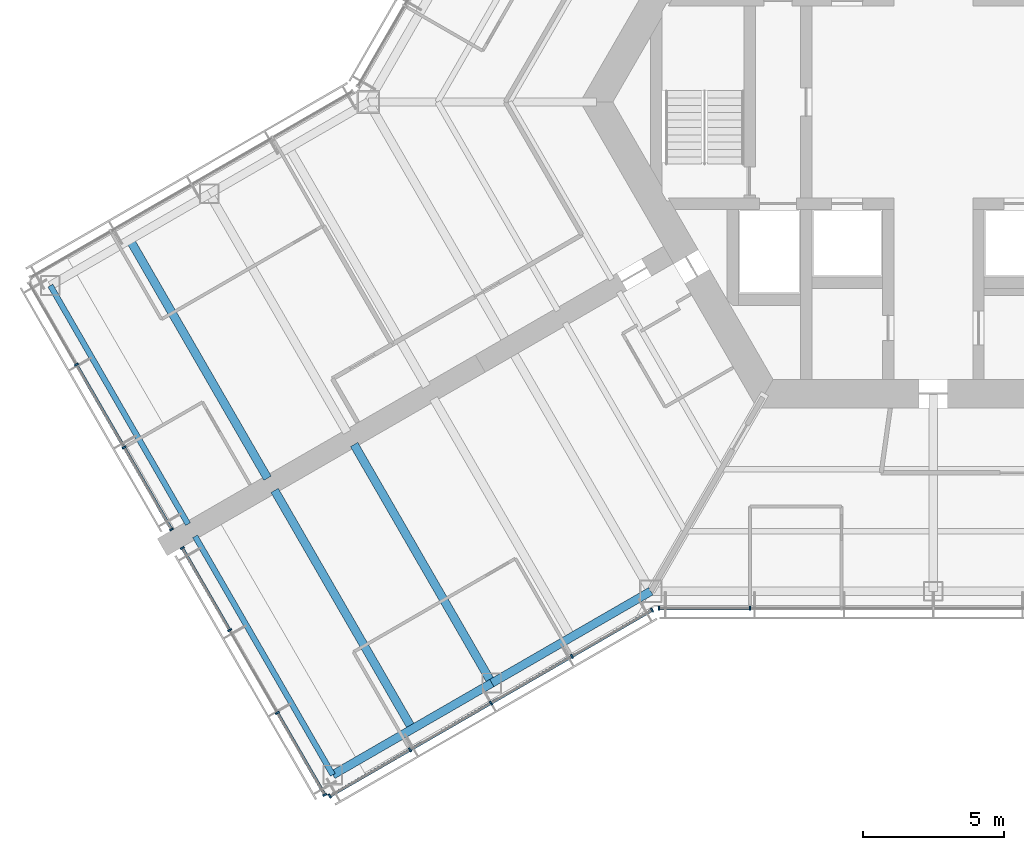
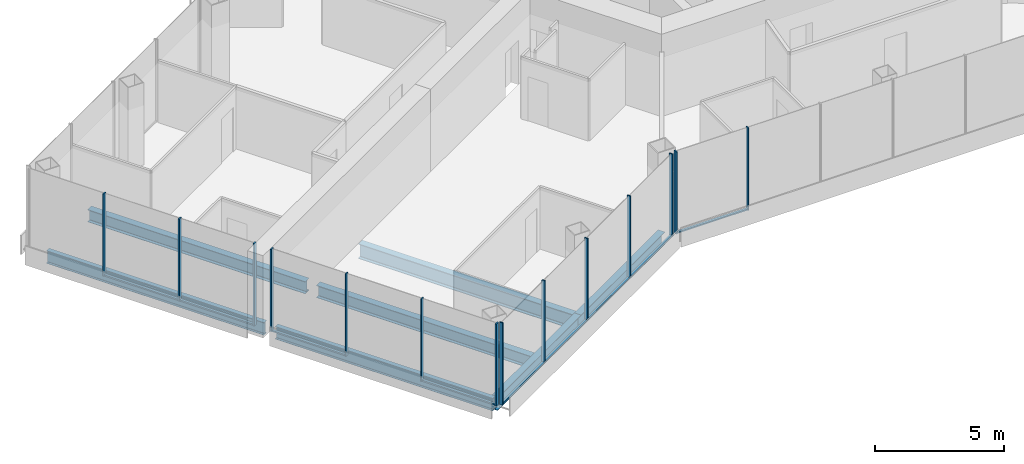
# One storey, part 2 of 18: 23 members, 7 beams, 4 elements without a shape of their own.
"""IFC4 building model written with IfcOpenShell, lengths in metres."""

import ifcopenshell
import ifcopenshell.guid

model = None  # the IFC model being written
_history = None  # IfcOwnerHistory: only IFC2X3 demands one
_inside = {}  # id of a spatial element -> (the spatial element, [elements in it])
_under = {}  # id of a project, library or spatial element -> (it, [spatial elements below it])
_declared = {}  # id of a project -> (the project, [libraries it declares])
_typed = {}  # id of a type object -> (the type object, [elements of that type])
_made_of = {}  # id of a material, layer set ... -> (it, [elements and type objects made of it])


def new_model(schema):
    """Start an empty IFC model of exactly this schema.

    Asked for "IFC4X3", IfcOpenShell would pick the latest addendum, in which some entities
    have other attributes; the version numbers below select the first issue.
    IFC2X3 requires an IfcOwnerHistory on every rooted entity: one is made here for all.
    """
    global model, _history
    if schema == "IFC4X3":
        model = ifcopenshell.file(schema_version=(4, 3, 0, 0))
    else:
        model = ifcopenshell.file(schema=schema)
    _inside.clear()
    _under.clear()
    _declared.clear()
    _typed.clear()
    _made_of.clear()
    _history = None
    if model.schema == "IFC2X3":
        org = make("IfcOrganization", Name="unknown")
        user = make(
            "IfcPersonAndOrganization",
            ThePerson=make("IfcPerson", FamilyName="unknown"),
            TheOrganization=org,
        )
        app = make(
            "IfcApplication",
            ApplicationDeveloper=org,
            Version="unknown",
            ApplicationFullName="unknown",
            ApplicationIdentifier="unknown",
        )
        _history = make(
            "IfcOwnerHistory",
            OwningUser=user,
            OwningApplication=app,
            ChangeAction="ADDED",
            CreationDate=0,
        )
    return model


def make(cls, **values):
    """One entity of the class cls with the attributes given. An attribute that is None is left unset."""
    return model.create_entity(
        cls, **{name: value for name, value in values.items() if value is not None}
    )


def rooted(cls, **values):
    """An entity with a GlobalId (a new one), such as an element, a storey or a relation."""
    return make(cls, GlobalId=ifcopenshell.guid.new(), OwnerHistory=_history, **values)


def si_unit(unit_type, name, prefix=None):
    """IfcSIUnit, for example si_unit("LENGTHUNIT", "METRE", prefix="MILLI")."""
    return make("IfcSIUnit", UnitType=unit_type, Prefix=prefix, Name=name)


def assignment(units):
    """IfcUnitAssignment: the units of a project."""
    return None if units is None else make("IfcUnitAssignment", Units=units)


def point(xyz):
    """IfcCartesianPoint."""
    return None if xyz is None else make("IfcCartesianPoint", Coordinates=xyz)


def direction(xyz):
    """IfcDirection."""
    return None if xyz is None else make("IfcDirection", DirectionRatios=xyz)


def frame(location, z_axis=None, x_axis=None):
    """IfcAxis2Placement3D, a coordinate frame: its origin and axes. An axis left out is left unset."""
    return make(
        "IfcAxis2Placement3D",
        Location=point(location),
        Axis=direction(z_axis),
        RefDirection=direction(x_axis),
    )


def frame_2d(location, x_axis=None):
    """IfcAxis2Placement2D, a coordinate frame in the plane: its origin and x axis."""
    return make(
        "IfcAxis2Placement2D", Location=point(location), RefDirection=direction(x_axis)
    )


def origin():
    """The frame at (0, 0, 0) with its axes left unset."""
    return frame((0.0, 0.0, 0.0))


def origin_2d():
    """The frame at (0, 0) in the plane with its x axis left unset."""
    return frame_2d((0.0, 0.0))


def place(relative_to, where):
    """IfcLocalPlacement: puts the frame where relative to a parent placement (None: the world)."""
    return make(
        "IfcLocalPlacement", PlacementRelTo=relative_to, RelativePlacement=where
    )


def context(
    kind, dimensions, precision=None, world=None, true_north=None, identifier=None
):
    """IfcGeometricRepresentationContext, for example the 3D "Model" context."""
    return make(
        "IfcGeometricRepresentationContext",
        ContextIdentifier=identifier,
        ContextType=kind,
        CoordinateSpaceDimension=dimensions,
        Precision=precision,
        WorldCoordinateSystem=world,
        TrueNorth=true_north,
    )


def subcontext(parent, identifier, kind, view, scale=None):
    """IfcGeometricRepresentationSubContext, for example "Body" below "Model"."""
    return make(
        "IfcGeometricRepresentationSubContext",
        ContextIdentifier=identifier,
        ContextType=kind,
        ParentContext=parent,
        TargetScale=scale,
        TargetView=view,
    )


def project(units=None, contexts=None):
    """IfcProject with its units and contexts."""
    return rooted(
        "IfcProject",
        Name="project",
        RepresentationContexts=contexts,
        UnitsInContext=assignment(units),
    )


def spatial(cls, under=None, at=None, **own):
    """A site, building, storey or space (cls), placed at a placement, below another one or the project."""
    s = rooted(cls, ObjectPlacement=at, **own)
    if under is not None:
        _under.setdefault(under.id(), (under, []))[1].append(s)
    return s


def profile(cls, at=None, kind="AREA", **sizes):
    """A parametric profile (cls). Its sizes go by their IFC names, for example OverallWidth=200.0."""
    return make(cls, ProfileType=kind, Position=at, **sizes)


def rectangle(**sizes):
    """IfcRectangleProfileDef."""
    return profile("IfcRectangleProfileDef", **sizes)


def i_section(**sizes):
    """IfcIShapeProfileDef."""
    return profile("IfcIShapeProfileDef", **sizes)


def extrude(swept, where, along, depth):
    """IfcExtrudedAreaSolid: the profile swept, set in the frame where, extruded along a direction by depth."""
    return make(
        "IfcExtrudedAreaSolid",
        SweptArea=swept,
        Position=where,
        ExtrudedDirection=direction(along),
        Depth=depth,
    )


def shape(context_of_items, identifier, shape_type, items):
    """IfcShapeRepresentation: the items that make up one representation, for example the "Body"."""
    return make(
        "IfcShapeRepresentation",
        ContextOfItems=context_of_items,
        RepresentationIdentifier=identifier,
        RepresentationType=shape_type,
        Items=items,
    )


def material(Name=None, Category=None):
    """IfcMaterial."""
    return make("IfcMaterial", Name=Name, Category=Category)


def material_profile(
    of_material, cross_section, Name=None, Category=None, Priority=None
):
    """IfcMaterialProfile: a cross section and its material."""
    return make(
        "IfcMaterialProfile",
        Name=Name,
        Material=of_material,
        Profile=cross_section,
        Priority=Priority,
        Category=Category,
    )


def profile_set(profiles, Name=None, composite=None):
    """IfcMaterialProfileSet."""
    return make(
        "IfcMaterialProfileSet",
        Name=Name,
        MaterialProfiles=profiles,
        CompositeProfile=composite,
    )


def made_of(thing, what):
    """Note that an element or type object is made of a material, layer set ...; save() writes the relation."""
    if what is not None:
        _made_of.setdefault(what.id(), (what, []))[1].append(thing)
    return thing


def type_object(cls, material=None, **own):
    """A type object (cls), such as IfcWallType, which elements share."""
    return made_of(rooted(cls, **own), material)


def element(
    cls,
    number,
    at=None,
    inside=None,
    cuts=None,
    type_object=None,
    material=None,
    context=None,
    identifier="Body",
    shape_type=None,
    held_by="IfcProductDefinitionShape",
    body=None,
    shapes=None,
    **own,
):
    """One element of the class cls, such as IfcWall. Its Tag is "e" and its number.

    at: its placement. inside: the storey or other place that contains it. cuts: it is an
    opening in that element (IfcRelVoidsElement). A single representation is given by context,
    identifier, shape_type and body (its items); several are given by shapes. held_by: the class
    of the entity that holds the representations. save() writes the other relations.
    """
    e = rooted(cls, Tag="e%d" % number, ObjectPlacement=at, **own)
    if body is not None:
        shapes = [shape(context, identifier, shape_type, body)]
    if shapes is not None:
        e.Representation = make(held_by, Representations=shapes)
    if inside is not None:
        _inside.setdefault(inside.id(), (inside, []))[1].append(e)
    if cuts is not None:
        rooted(
            "IfcRelVoidsElement", RelatingBuildingElement=cuts, RelatedOpeningElement=e
        )
    if type_object is not None:
        _typed.setdefault(type_object.id(), (type_object, []))[1].append(e)
    return made_of(e, material)


def aggregate(whole, parts):
    """IfcRelAggregates: a whole, such as a stair, and the parts it consists of."""
    return rooted("IfcRelAggregates", RelatingObject=whole, RelatedObjects=parts)


def save(model, path):
    """Write the relations noted so far, then the file.

    IfcRelAggregates (storeys below a building ...), IfcRelContainedInSpatialStructure (elements
    in a storey), IfcRelDefinesByType, IfcRelAssociatesMaterial and IfcRelDeclares: one each for
    every whole, place, type object, material and project.
    """
    for whole, parts in _under.values():
        aggregate(whole, parts)
    for where, things in _inside.values():
        rooted(
            "IfcRelContainedInSpatialStructure",
            RelatedElements=things,
            RelatingStructure=where,
        )
    for kind, things in _typed.values():
        rooted("IfcRelDefinesByType", RelatedObjects=things, RelatingType=kind)
    for what, things in _made_of.values():
        rooted("IfcRelAssociatesMaterial", RelatedObjects=things, RelatingMaterial=what)
    for by, libraries in _declared.values():
        rooted("IfcRelDeclares", RelatingContext=by, RelatedDefinitions=libraries)
    model.write(path)


model = new_model("IFC4")

# Units and contexts
model_context = context("Model", 3, precision=1e-05, world=origin(), true_north=direction((0.0, 1.0)))
body_context = subcontext(model_context, "Body", "Model", "MODEL_VIEW")
ifc_project = project(units=[si_unit("LENGTHUNIT", "METRE"), si_unit("AREAUNIT", "SQUARE_METRE"), si_unit("VOLUMEUNIT", "CUBIC_METRE"), si_unit("PLANEANGLEUNIT", "RADIAN"), si_unit("MASSUNIT", "GRAM", prefix="KILO")], contexts=[model_context])

# Site, building, storey
site_placement = place(None, origin())
site = spatial("IfcSite", under=ifc_project, at=site_placement, CompositionType="ELEMENT")
building_placement = place(site_placement, origin())
building = spatial("IfcBuilding", under=site, at=building_placement, Name="Kasaneha Research Tower", CompositionType="ELEMENT")
storey_placement = place(building_placement, frame((0.0, 0.0, 140.89990234375)))
storey = spatial("IfcBuildingStorey", under=building, at=storey_placement, Name="L35", CompositionType="ELEMENT", Elevation=140.89990234375)

# Beams
ifc_material_1 = material(Name="Steel SN490B", Category="steel")
ifc_material_profile_1 = material_profile(ifc_material_1, i_section(OverallWidth=0.300048828125, OverallDepth=0.58203125, WebThickness=0.011962890625, FlangeThickness=0.01708984375, FilletRadius=0.012939453125, at=origin_2d()), Name="H-582x300x12x17")
ifc_profile_set_1 = profile_set([ifc_material_profile_1], Name="Steel SN490B")
beam_type_1 = type_object("IfcBeamType", Name="B2-3 secondary beam H-582x300x12x17", PredefinedType="JOIST", material=ifc_profile_set_1)
for number, where, z_axis, x_axis, name in (
    (1, (-28.44384765625, -4.875, -0.44091796875), (0.499995560238, -0.866027967067, 0.0), (0.866027967067, 0.499995560238, 0.0), "Secondary beam WBBP2 L35"),
    (2, (-18.44384765625, -22.195556640625, -0.44091796875), (-0.499995560238, 0.866027967067, 0.0), (-0.866027967067, -0.499995560238, 0.0), "Secondary beam WBBN2 L35"),
):
    element("IfcBeam", number, at=place(storey_placement, frame(where, z_axis=z_axis, x_axis=x_axis)), inside=storey, type_object=beam_type_1, Name=name, PredefinedType="JOIST", context=body_context, shape_type="SweptSolid", body=[
        extrude(i_section(OverallWidth=0.300048828125, OverallDepth=0.58203125, WebThickness=0.011962890625, FlangeThickness=0.01708984375, FilletRadius=0.012939453125, at=origin_2d()), origin(), (0.0, 0.0, 1.0), 9.75),
    ])

# Curtain wall, members
ifc_material_2 = material(Name="Glass and aluminium", Category="aluminium")
curtain_wall_type = type_object("IfcCurtainWallType", Name="Mid-rise office curtain wall", PredefinedType="USERDEFINED", material=ifc_material_2)
curtain_wall_1_placement = place(storey_placement, origin())
curtain_wall_1 = element("IfcCurtainWall", 3, at=curtain_wall_1_placement, inside=storey, type_object=curtain_wall_type, Name="CW-O2 L35 run 01a", ObjectType="UNITISED CURTAIN WALL", PredefinedType="USERDEFINED")
ifc_material_3 = material(Name="Aluminium 6063-T6", Category="aluminium")
ifc_material_profile_2 = material_profile(ifc_material_3, rectangle(XDim=0.06005859375, YDim=0.14990234375, at=origin_2d()), Name="CW-O2 mullion 60x150")
ifc_profile_set_2 = profile_set([ifc_material_profile_2], Name="Aluminium 6063-T6")
member_type_1 = type_object("IfcMemberType", Name="CW-O2 mullion", PredefinedType="MULLION", material=ifc_profile_set_2)
member_1_placement = place(storey_placement, frame((-9.709228515625, -17.92041015625, 0.0), z_axis=(0.0, 0.0, 1.0), x_axis=(1.0, 0.0, 0.0)))
member_1 = element("IfcMember", 4, at=member_1_placement, type_object=member_type_1, Name="CW-O2 mullion 1", PredefinedType="MULLION", context=body_context, shape_type="SweptSolid", body=[
    extrude(rectangle(XDim=0.06005859375, YDim=0.14990234375, at=origin_2d()), origin(), (0.0, 0.0, 1.0), 3.900146484375),
])
member_2_placement = place(storey_placement, frame((-6.492919921875, -17.92041015625, 0.0), z_axis=(0.0, 0.0, 1.0), x_axis=(1.0, 0.0, 0.0)))
member_2 = element("IfcMember", 5, at=member_2_placement, type_object=member_type_1, Name="CW-O2 mullion 2", PredefinedType="MULLION", context=body_context, shape_type="SweptSolid", body=[
    extrude(rectangle(XDim=0.06005859375, YDim=0.14990234375, at=origin_2d()), origin(), (0.0, 0.0, 1.0), 3.900146484375),
])

curtain_wall_2_placement = place(storey_placement, origin())
curtain_wall_2 = element("IfcCurtainWall", 6, at=curtain_wall_2_placement, inside=storey, type_object=curtain_wall_type, Name="CW-O2 L35 run 10a", ObjectType="UNITISED CURTAIN WALL", PredefinedType="USERDEFINED")
member_3_placement = place(storey_placement, frame((-30.336181640625, -9.297119140625, 0.0), z_axis=(0.0, 0.0, 1.0), x_axis=(0.500000011442, -0.866025397178, 0.0)))
member_3 = element("IfcMember", 7, at=member_3_placement, type_object=member_type_1, Name="CW-O2 mullion 2", PredefinedType="MULLION", context=body_context, shape_type="SweptSolid", body=[
    extrude(rectangle(XDim=0.06005859375, YDim=0.14990234375, at=origin_2d()), origin(), (0.0, 0.0, 1.0), 3.900146484375),
])
member_4_placement = place(storey_placement, frame((-28.64453125, -12.22705078125, 0.0), z_axis=(0.0, 0.0, 1.0), x_axis=(0.500000011442, -0.866025397178, 0.0)))
member_4 = element("IfcMember", 8, at=member_4_placement, type_object=member_type_1, Name="CW-O2 mullion 3", PredefinedType="MULLION", context=body_context, shape_type="SweptSolid", body=[
    extrude(rectangle(XDim=0.06005859375, YDim=0.14990234375, at=origin_2d()), origin(), (0.0, 0.0, 1.0), 3.900146484375),
])
member_5_placement = place(storey_placement, frame((-26.968017578125, -15.131103515625, 0.0), z_axis=(0.0, 0.0, 1.0), x_axis=(0.500000011442, -0.866025397178, 0.0)))
member_5 = element("IfcMember", 9, at=member_5_placement, type_object=member_type_1, Name="CW-O2 mullion 4", PredefinedType="MULLION", context=body_context, shape_type="SweptSolid", body=[
    extrude(rectangle(XDim=0.06005859375, YDim=0.14990234375, at=origin_2d()), origin(), (0.0, 0.0, 1.0), 3.900146484375),
])

curtain_wall_3_placement = place(storey_placement, origin())
curtain_wall_3 = element("IfcCurtainWall", 10, at=curtain_wall_3_placement, inside=storey, type_object=curtain_wall_type, Name="CW-O2 L35 run 11a", ObjectType="UNITISED CURTAIN WALL", PredefinedType="USERDEFINED")
member_6_placement = place(storey_placement, frame((-26.587890625, -15.789306640625, 0.0), z_axis=(0.0, 0.0, 1.0), x_axis=(0.500000011442, -0.866025397178, 0.0)))
member_6 = element("IfcMember", 11, at=member_6_placement, type_object=member_type_1, Name="CW-O2 mullion 1", PredefinedType="MULLION", context=body_context, shape_type="SweptSolid", body=[
    extrude(rectangle(XDim=0.06005859375, YDim=0.14990234375, at=origin_2d()), origin(), (0.0, 0.0, 1.0), 3.900146484375),
])
member_7_placement = place(storey_placement, frame((-24.911376953125, -18.693359375, 0.0), z_axis=(0.0, 0.0, 1.0), x_axis=(0.500000011442, -0.866025397178, 0.0)))
member_7 = element("IfcMember", 12, at=member_7_placement, type_object=member_type_1, Name="CW-O2 mullion 2", PredefinedType="MULLION", context=body_context, shape_type="SweptSolid", body=[
    extrude(rectangle(XDim=0.06005859375, YDim=0.14990234375, at=origin_2d()), origin(), (0.0, 0.0, 1.0), 3.900146484375),
])
member_8_placement = place(storey_placement, frame((-23.2197265625, -21.62353515625, 0.0), z_axis=(0.0, 0.0, 1.0), x_axis=(0.500000011442, -0.866025397178, 0.0)))
member_8 = element("IfcMember", 13, at=member_8_placement, type_object=member_type_1, Name="CW-O2 mullion 3", PredefinedType="MULLION", context=body_context, shape_type="SweptSolid", body=[
    extrude(rectangle(XDim=0.06005859375, YDim=0.14990234375, at=origin_2d()), origin(), (0.0, 0.0, 1.0), 3.900146484375),
])
member_9_placement = place(storey_placement, frame((-21.54296875, -24.527587890625, 0.0), z_axis=(0.0, 0.0, 1.0), x_axis=(0.500000011442, -0.866025397178, 0.0)))
member_9 = element("IfcMember", 14, at=member_9_placement, type_object=member_type_1, Name="CW-O2 mullion 4", PredefinedType="MULLION", context=body_context, shape_type="SweptSolid", body=[
    extrude(rectangle(XDim=0.06005859375, YDim=0.14990234375, at=origin_2d()), origin(), (0.0, 0.0, 1.0), 3.900146484375),
])

curtain_wall_4_placement = place(storey_placement, origin())
curtain_wall_4 = element("IfcCurtainWall", 15, at=curtain_wall_4_placement, inside=storey, type_object=curtain_wall_type, Name="CW-O2 L35 run 12a", ObjectType="UNITISED CURTAIN WALL", PredefinedType="USERDEFINED")
member_10_placement = place(storey_placement, frame((-21.365478515625, -24.5751953125, 0.0), z_axis=(0.0, 0.0, 1.0), x_axis=(0.866025411464, 0.499999986699, 0.0)))
member_10 = element("IfcMember", 16, at=member_10_placement, type_object=member_type_1, Name="CW-O2 mullion 1", PredefinedType="MULLION", context=body_context, shape_type="SweptSolid", body=[
    extrude(rectangle(XDim=0.06005859375, YDim=0.14990234375, at=origin_2d()), origin(), (0.0, 0.0, 1.0), 3.900146484375),
])
member_11_placement = place(storey_placement, frame((-18.52490234375, -22.935302734375, 0.0), z_axis=(0.0, 0.0, 1.0), x_axis=(0.866025411464, 0.499999986699, 0.0)))
member_11 = element("IfcMember", 17, at=member_11_placement, type_object=member_type_1, Name="CW-O2 mullion 2", PredefinedType="MULLION", context=body_context, shape_type="SweptSolid", body=[
    extrude(rectangle(XDim=0.06005859375, YDim=0.14990234375, at=origin_2d()), origin(), (0.0, 0.0, 1.0), 3.900146484375),
])
member_12_placement = place(storey_placement, frame((-15.65869140625, -21.2802734375, 0.0), z_axis=(0.0, 0.0, 1.0), x_axis=(0.866025411464, 0.499999986699, 0.0)))
member_12 = element("IfcMember", 18, at=member_12_placement, type_object=member_type_1, Name="CW-O2 mullion 3", PredefinedType="MULLION", context=body_context, shape_type="SweptSolid", body=[
    extrude(rectangle(XDim=0.06005859375, YDim=0.14990234375, at=origin_2d()), origin(), (0.0, 0.0, 1.0), 3.900146484375),
])
member_13_placement = place(storey_placement, frame((-12.792236328125, -19.62548828125, 0.0), z_axis=(0.0, 0.0, 1.0), x_axis=(0.866025411464, 0.499999986699, 0.0)))
member_13 = element("IfcMember", 19, at=member_13_placement, type_object=member_type_1, Name="CW-O2 mullion 4", PredefinedType="MULLION", context=body_context, shape_type="SweptSolid", body=[
    extrude(rectangle(XDim=0.06005859375, YDim=0.14990234375, at=origin_2d()), origin(), (0.0, 0.0, 1.0), 3.900146484375),
])
member_14_placement = place(storey_placement, frame((-9.951904296875, -17.985595703125, 0.0), z_axis=(0.0, 0.0, 1.0), x_axis=(0.866025411464, 0.499999986699, 0.0)))
member_14 = element("IfcMember", 20, at=member_14_placement, type_object=member_type_1, Name="CW-O2 mullion 5", PredefinedType="MULLION", context=body_context, shape_type="SweptSolid", body=[
    extrude(rectangle(XDim=0.06005859375, YDim=0.14990234375, at=origin_2d()), origin(), (0.0, 0.0, 1.0), 3.900146484375),
])

# Member
ifc_material_4 = material(Name="Aluminium 6063-T6", Category="aluminium")
ifc_material_profile_3 = material_profile(ifc_material_4, rectangle(XDim=0.110107421875, YDim=0.06005859375, at=origin_2d()), Name="CW-O2 transom 110x60")
ifc_profile_set_3 = profile_set([ifc_material_profile_3], Name="Aluminium 6063-T6")
member_type_2 = type_object("IfcMemberType", Name="CW-O2 transom", PredefinedType="USERDEFINED", material=ifc_profile_set_3)
member_15_placement = place(storey_placement, frame((-9.67919921875, -17.92041015625, 0.030029296875), z_axis=(1.0, 0.0, 0.0), x_axis=(0.0, 1.0, 0.0)))
member_15 = element("IfcMember", 21, at=member_15_placement, type_object=member_type_2, Name="CW-O2 transom 1", ObjectType="TRANSOM", PredefinedType="USERDEFINED", context=body_context, shape_type="SweptSolid", body=[
    extrude(rectangle(XDim=0.110107421875, YDim=0.06005859375, at=origin_2d()), origin(), (0.0, 0.0, 1.0), 3.156494140625),
])

aggregate(curtain_wall_1, [member_1, member_2, member_15])

member_16_placement = place(storey_placement, frame((-30.3212890625, -9.322998046875, 0.030029296875), z_axis=(0.499978935311, -0.866037565146, 0.0), x_axis=(0.866037565146, 0.499978935311, 0.0)))
member_16 = element("IfcMember", 22, at=member_16_placement, type_object=member_type_2, Name="CW-O2 transom 2", ObjectType="TRANSOM", PredefinedType="USERDEFINED", context=body_context, shape_type="SweptSolid", body=[
    extrude(rectangle(XDim=0.110107421875, YDim=0.06005859375, at=origin_2d()), origin(), (0.0, 0.0, 1.0), 3.323486328125),
])

member_17_placement = place(storey_placement, frame((-28.629638671875, -12.253173828125, 0.030029296875), z_axis=(0.500021914551, -0.866012751043, 0.0), x_axis=(0.866012751043, 0.500021914551, 0.0)))
member_17 = element("IfcMember", 23, at=member_17_placement, type_object=member_type_2, Name="CW-O2 transom 3", ObjectType="TRANSOM", PredefinedType="USERDEFINED", context=body_context, shape_type="SweptSolid", body=[
    extrude(rectangle(XDim=0.110107421875, YDim=0.06005859375, at=origin_2d()), origin(), (0.0, 0.0, 1.0), 3.293212890625),
])

aggregate(curtain_wall_2, [member_3, member_4, member_5, member_16, member_17])

member_18_placement = place(storey_placement, frame((-26.572998046875, -15.8154296875, 0.030029296875), z_axis=(0.500021914551, -0.866012751043, 0.0), x_axis=(0.866012751043, 0.500021914551, 0.0)))
member_18 = element("IfcMember", 24, at=member_18_placement, type_object=member_type_2, Name="CW-O2 transom 1", ObjectType="TRANSOM", PredefinedType="USERDEFINED", context=body_context, shape_type="SweptSolid", body=[
    extrude(rectangle(XDim=0.110107421875, YDim=0.06005859375, at=origin_2d()), origin(), (0.0, 0.0, 1.0), 3.293212890625),
])

member_19_placement = place(storey_placement, frame((-23.20458984375, -21.6494140625, 0.030029296875), z_axis=(0.500021914551, -0.866012751043, 0.0), x_axis=(0.866012751043, 0.500021914551, 0.0)))
member_19 = element("IfcMember", 25, at=member_19_placement, type_object=member_type_2, Name="CW-O2 transom 3", ObjectType="TRANSOM", PredefinedType="USERDEFINED", context=body_context, shape_type="SweptSolid", body=[
    extrude(rectangle(XDim=0.110107421875, YDim=0.06005859375, at=origin_2d()), origin(), (0.0, 0.0, 1.0), 3.293212890625),
])

aggregate(curtain_wall_3, [member_6, member_7, member_8, member_9, member_18, member_19])

member_20_placement = place(storey_placement, frame((-21.33935546875, -24.56005859375, 0.030029296875), z_axis=(0.866022692473, 0.500004696101, 0.0), x_axis=(-0.500004696101, 0.866022692473, 0.0)))
member_20 = element("IfcMember", 26, at=member_20_placement, type_object=member_type_2, Name="CW-O2 transom 1", ObjectType="TRANSOM", PredefinedType="USERDEFINED", context=body_context, shape_type="SweptSolid", body=[
    extrude(rectangle(XDim=0.110107421875, YDim=0.06005859375, at=origin_2d()), origin(), (0.0, 0.0, 1.0), 3.2197265625),
])

member_21_placement = place(storey_placement, frame((-18.4990234375, -22.920166015625, 0.030029296875), z_axis=(0.86604797581, 0.499960902066, 0.0), x_axis=(-0.499960902066, 0.86604797581, 0.0)))
member_21 = element("IfcMember", 27, at=member_21_placement, type_object=member_type_2, Name="CW-O2 transom 2", ObjectType="TRANSOM", PredefinedType="USERDEFINED", context=body_context, shape_type="SweptSolid", body=[
    extrude(rectangle(XDim=0.110107421875, YDim=0.06005859375, at=origin_2d()), origin(), (0.0, 0.0, 1.0), 3.249755859375),
])

member_22_placement = place(storey_placement, frame((-15.632568359375, -21.265380859375, 0.030029296875), z_axis=(0.866015446554, 0.500017246033, 0.0), x_axis=(-0.500017246033, 0.866015446554, 0.0)))
member_22 = element("IfcMember", 28, at=member_22_placement, type_object=member_type_2, Name="CW-O2 transom 3", ObjectType="TRANSOM", PredefinedType="USERDEFINED", context=body_context, shape_type="SweptSolid", body=[
    extrude(rectangle(XDim=0.110107421875, YDim=0.06005859375, at=origin_2d()), origin(), (0.0, 0.0, 1.0), 3.25),
])

member_23_placement = place(storey_placement, frame((-12.76611328125, -19.6103515625, 0.030029296875), z_axis=(0.866022692473, 0.500004696101, 0.0), x_axis=(-0.500004696101, 0.866022692473, 0.0)))
member_23 = element("IfcMember", 29, at=member_23_placement, type_object=member_type_2, Name="CW-O2 transom 4", ObjectType="TRANSOM", PredefinedType="USERDEFINED", context=body_context, shape_type="SweptSolid", body=[
    extrude(rectangle(XDim=0.110107421875, YDim=0.06005859375, at=origin_2d()), origin(), (0.0, 0.0, 1.0), 3.2197265625),
])

aggregate(curtain_wall_4, [member_10, member_11, member_12, member_13, member_14, member_20, member_21, member_22, member_23])

# Beams
ifc_material_5 = material(Name="Steel SN490B", Category="steel")
ifc_material_profile_4 = material_profile(ifc_material_5, i_section(OverallWidth=0.300048828125, OverallDepth=0.699951171875, WebThickness=0.012939453125, FlangeThickness=0.02392578125, FilletRadius=0.01806640625, at=origin_2d()), Name="H-700x300x13x24")
ifc_profile_set_4 = profile_set([ifc_material_profile_4], Name="Steel SN490B")
beam_type_2 = type_object("IfcBeamType", Name="G4-3 wing girder H-700x300x13x24", PredefinedType="BEAM", material=ifc_profile_set_4)
beam_placement = place(storey_placement, frame((-15.629150390625, -20.570556640625, -0.5), z_axis=(-0.499995560238, 0.866027967067, 0.0), x_axis=(-0.866027967067, -0.499995560238, 0.0)))
element("IfcBeam", 30, at=beam_placement, inside=storey, type_object=beam_type_2, Name="Wing girder WGBN L35", PredefinedType="BEAM", context=body_context, shape_type="SweptSolid", body=[
    extrude(i_section(OverallWidth=0.300048828125, OverallDepth=0.699951171875, WebThickness=0.012939453125, FlangeThickness=0.02392578125, FilletRadius=0.01806640625, at=origin_2d()), origin(), (0.0, 0.0, 1.0), 9.75),
])
ifc_material_6 = material(Name="Steel SN490B", Category="steel")
ifc_material_profile_5 = material_profile(ifc_material_6, i_section(OverallWidth=0.300048828125, OverallDepth=0.58203125, WebThickness=0.011962890625, FlangeThickness=0.01708984375, FilletRadius=0.012939453125, at=origin_2d()), Name="H-582x300x12x17")
ifc_profile_set_5 = profile_set([ifc_material_profile_5], Name="Steel SN490B")
beam_type_3 = type_object("IfcBeamType", Name="SB2-3 spandrel beam H-582x300x12x17", PredefinedType="SPANDREL", material=ifc_profile_set_5)
for number, where, z_axis, x_axis, name in (
    (31, (-10.0, -17.320556640625, -0.44091796875), (-0.866024837091, -0.50000098154, 0.0), (0.50000098154, -0.866024837091, 0.0), "Spandrel beam WSBN1 L35"),
    (32, (-15.629150390625, -20.570556640625, -0.44091796875), (-0.866024837091, -0.50000098154, 0.0), (0.50000098154, -0.866024837091, 0.0), "Spandrel beam WSBN2 L35"),
):
    element("IfcBeam", number, at=place(storey_placement, frame(where, z_axis=z_axis, x_axis=x_axis)), inside=storey, type_object=beam_type_3, Name=name, PredefinedType="SPANDREL", context=body_context, shape_type="SweptSolid", body=[
        extrude(i_section(OverallWidth=0.300048828125, OverallDepth=0.58203125, WebThickness=0.011962890625, FlangeThickness=0.01708984375, FilletRadius=0.012939453125, at=origin_2d()), origin(), (0.0, 0.0, 1.0), 6.5),
    ])
ifc_material_7 = material(Name="Steel SN490B", Category="steel")
ifc_material_profile_6 = material_profile(ifc_material_7, i_section(OverallWidth=0.199951171875, OverallDepth=0.60009765625, WebThickness=0.010986328125, FlangeThickness=0.01708984375, FilletRadius=0.012939453125, at=origin_2d()), Name="H-600x200x11x17")
ifc_profile_set_6 = profile_set([ifc_material_profile_6], Name="Steel SN490B")
beam_type_4 = type_object("IfcBeamType", Name="SB3-3 spandrel beam H-600x200x11x17", PredefinedType="SPANDREL", material=ifc_profile_set_6)
for number, where, z_axis, x_axis, name in (
    (33, (-31.25830078125, -6.5, -0.449951171875), (0.499995560238, -0.866027967067, 0.0), (0.866027967067, 0.499995560238, 0.0), "Spandrel beam WTBP L35"),
    (34, (-21.25830078125, -23.820556640625, -0.449951171875), (-0.499995560238, 0.866027967067, 0.0), (-0.866027967067, -0.499995560238, 0.0), "Spandrel beam WTBN L35"),
):
    element("IfcBeam", number, at=place(storey_placement, frame(where, z_axis=z_axis, x_axis=x_axis)), inside=storey, type_object=beam_type_4, Name=name, PredefinedType="SPANDREL", context=body_context, shape_type="SweptSolid", body=[
        extrude(i_section(OverallWidth=0.199951171875, OverallDepth=0.60009765625, WebThickness=0.010986328125, FlangeThickness=0.01708984375, FilletRadius=0.012939453125, at=origin_2d()), origin(), (0.0, 0.0, 1.0), 9.75),
    ])

save(model, "model.ifc")
